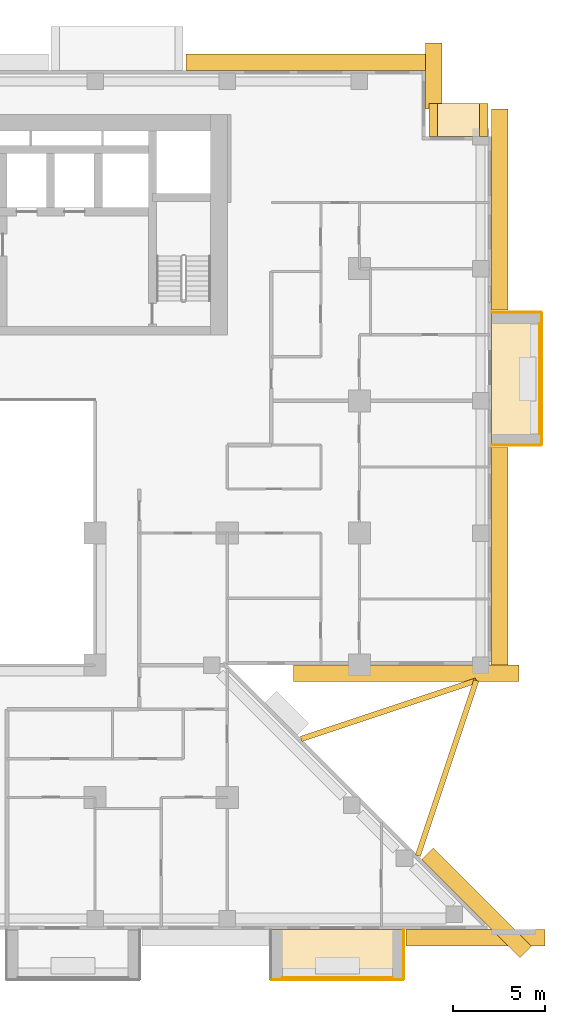
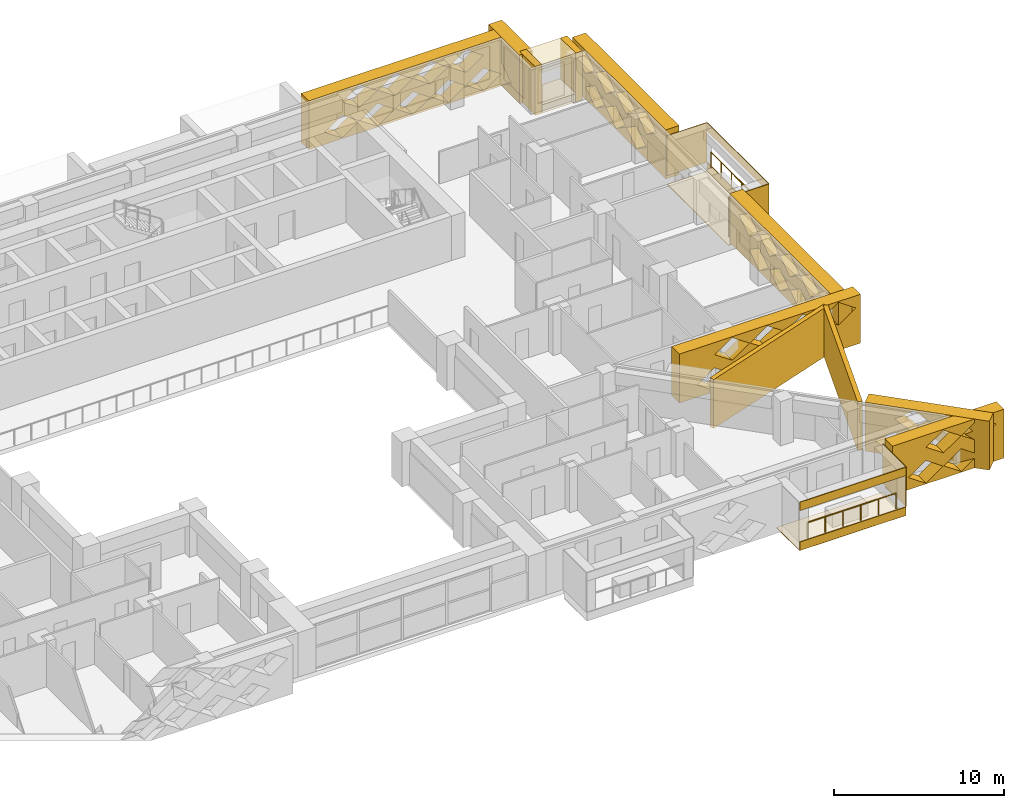
# One storey, part 17 of 17: 22 coverings, 2 railings.
"""IFC4 building model written with IfcOpenShell, lengths in metres."""

from ifc_helpers import new_model, si_unit, direction, frame, origin, origin_2d, place, context, subcontext, project, spatial, polyline, circle, outline, extrude, material, layer, layer_set, type_object, element, save


model = new_model("IFC4")

# Units and contexts
model_context = context("Model", 3, precision=1e-05, world=origin(), true_north=direction((0.0, 1.0)))
body_context = subcontext(model_context, "Body", "Model", "MODEL_VIEW")
ifc_project = project(units=[si_unit("LENGTHUNIT", "METRE"), si_unit("AREAUNIT", "SQUARE_METRE"), si_unit("VOLUMEUNIT", "CUBIC_METRE"), si_unit("PLANEANGLEUNIT", "RADIAN"), si_unit("MASSUNIT", "GRAM", prefix="KILO")], contexts=[model_context])

# Site, building, storey
site_placement = place(None, origin())
site = spatial("IfcSite", under=ifc_project, at=site_placement, CompositionType="ELEMENT")
building_placement = place(site_placement, origin())
building = spatial("IfcBuilding", under=site, at=building_placement, Name="Saffron Iwan Residences", CompositionType="ELEMENT")
storey_placement = place(building_placement, frame((0.0, 0.0, 100.5)))
storey = spatial("IfcBuildingStorey", under=building, at=storey_placement, Name="L26", CompositionType="ELEMENT", Elevation=100.5)

# Railings
ifc_material_1 = material(Name="Stainless steel 316", Category="steel")
railing_type = type_object("IfcRailingType", Name="BALCONY GUARD 1150", PredefinedType="GUARDRAIL", material=ifc_material_1)
railing_1_placement = place(storey_placement, frame((89.02490234375, 60.60009765625, 0.0)))
element("IfcRailing", 1, at=railing_1_placement, inside=storey, type_object=railing_type, Name="Balcony guard L26 F2-0", PredefinedType="GUARDRAIL", context=body_context, shape_type="SweptSolid", body=[
    extrude(circle(Radius=0.02392578125, at=origin_2d()), frame((0.0, 0.0, 1.1259765625), z_axis=(0.0, 1.0, 0.0), x_axis=(-1.0, 0.0, 0.0)), (0.0, 0.0, 1.0), 6.0),
    extrude(circle(Radius=0.02099609375, at=origin_2d()), origin(), (0.0, 0.0, 1.0), 1.101806640625),
    extrude(circle(Radius=0.02099609375, at=origin_2d()), frame((0.0, 1.199951171875, 0.0)), (0.0, 0.0, 1.0), 1.101806640625),
    extrude(circle(Radius=0.02099609375, at=origin_2d()), frame((0.0, 2.39990234375, 0.0)), (0.0, 0.0, 1.0), 1.101806640625),
    extrude(circle(Radius=0.02099609375, at=origin_2d()), frame((0.0, 3.60009765625, 0.0)), (0.0, 0.0, 1.0), 1.101806640625),
    extrude(circle(Radius=0.02099609375, at=origin_2d()), frame((0.0, 4.800048828125, 0.0)), (0.0, 0.0, 1.0), 1.101806640625),
    extrude(circle(Radius=0.02099609375, at=origin_2d()), frame((0.0, 6.0, 0.0)), (0.0, 0.0, 1.0), 1.101806640625),
])
railing_2_placement = place(storey_placement, frame((75.0, 30.97509765625, 0.0)))
element("IfcRailing", 2, at=railing_2_placement, inside=storey, type_object=railing_type, Name="Balcony guard L26 11-2", PredefinedType="GUARDRAIL", context=body_context, shape_type="SweptSolid", body=[
    extrude(circle(Radius=0.02392578125, at=origin_2d()), frame((0.0, 0.0, 1.1259765625), z_axis=(1.0, 0.0, 0.0), x_axis=(0.0, 1.0, 0.0)), (0.0, 0.0, 1.0), 6.0),
    extrude(circle(Radius=0.02099609375, at=origin_2d()), origin(), (0.0, 0.0, 1.0), 1.101806640625),
    extrude(circle(Radius=0.02099609375, at=origin_2d()), frame((1.199951171875, 0.0, 0.0)), (0.0, 0.0, 1.0), 1.101806640625),
    extrude(circle(Radius=0.02099609375, at=origin_2d()), frame((2.39990234375, 0.0, 0.0)), (0.0, 0.0, 1.0), 1.101806640625),
    extrude(circle(Radius=0.02099609375, at=origin_2d()), frame((3.60009765625, 0.0, 0.0)), (0.0, 0.0, 1.0), 1.101806640625),
    extrude(circle(Radius=0.02099609375, at=origin_2d()), frame((4.800048828125, 0.0, 0.0)), (0.0, 0.0, 1.0), 1.101806640625),
    extrude(circle(Radius=0.02099609375, at=origin_2d()), frame((6.0, 0.0, 0.0)), (0.0, 0.0, 1.0), 1.101806640625),
])

# Coverings
ifc_material_2 = material(Name="Precast concrete C40/50 white painted", Category="concrete")
ifc_layer_1 = layer(ifc_material_2, 0.050048828125)
ifc_layer_set_1 = layer_set([ifc_layer_1], Name="Precast concrete C40/50 white painted")
covering_type_1 = type_object("IfcCoveringType", Name="FRAME SKIN PRECAST WHITE 50", PredefinedType="CLADDING", material=ifc_layer_set_1)
for number, where, name in (
    (3, (0.0, 0.0, -0.60009765625), "Frame skin slab edge L26 F2-0"),
    (4, (0.0, 0.0, 2.25), "Frame skin fascia L26 F2-0"),
):
    element("IfcCovering", number, at=place(storey_placement, frame(where)), inside=storey, type_object=covering_type_1, Name=name, PredefinedType="CLADDING", context=body_context, shape_type="SweptSolid", body=[
        extrude(outline(polyline([(89.14990234375, 60.0), (89.14990234375, 67.199951171875), (89.10009765625, 67.199951171875), (89.10009765625, 60.0), (89.14990234375, 60.0)])), origin(), (0.0, 0.0, 1.0), 0.60009765625),
    ])
covering_1_placement = place(storey_placement, frame((0.0, 0.0, -0.64990234375)))
element("IfcCovering", 5, at=covering_1_placement, inside=storey, type_object=covering_type_1, Name="Frame skin soffit L26 F2-0", PredefinedType="CLADDING", context=body_context, shape_type="SweptSolid", body=[
    extrude(outline(polyline([(89.10009765625, 60.0), (89.10009765625, 67.199951171875), (86.39990234375, 67.199951171875), (86.39990234375, 60.0), (89.10009765625, 60.0)])), origin(), (0.0, 0.0, 1.0), 0.0498046875),
])
covering_2_placement = place(storey_placement, origin())
element("IfcCovering", 6, at=covering_2_placement, inside=storey, type_object=covering_type_1, Name="Frame skin fin L26 F2-0a", PredefinedType="CLADDING", context=body_context, shape_type="SweptSolid", body=[
    extrude(outline(polyline([(89.10009765625, 59.949951171875), (89.10009765625, 60.0), (86.39990234375, 60.0), (86.39990234375, 59.949951171875), (89.10009765625, 59.949951171875)])), origin(), (0.0, 0.0, 1.0), 2.85009765625),
])
covering_3_placement = place(storey_placement, origin())
element("IfcCovering", 7, at=covering_3_placement, inside=storey, type_object=covering_type_1, Name="Frame skin fin L26 F2-0b", PredefinedType="CLADDING", context=body_context, shape_type="SweptSolid", body=[
    extrude(outline(polyline([(89.10009765625, 67.199951171875), (89.10009765625, 67.25), (86.39990234375, 67.25), (86.39990234375, 67.199951171875), (89.10009765625, 67.199951171875)])), origin(), (0.0, 0.0, 1.0), 2.85009765625),
])
for number, where, name in (
    (8, (0.0, 0.0, -0.60009765625), "Frame skin slab edge L26 11-2"),
    (9, (0.0, 0.0, 2.25), "Frame skin fascia L26 11-2"),
):
    element("IfcCovering", number, at=place(storey_placement, frame(where)), inside=storey, type_object=covering_type_1, Name=name, PredefinedType="CLADDING", context=body_context, shape_type="SweptSolid", body=[
        extrude(outline(polyline([(74.39990234375, 30.85009765625), (81.60009765625, 30.85009765625), (81.60009765625, 30.89990234375), (74.39990234375, 30.89990234375), (74.39990234375, 30.85009765625)])), origin(), (0.0, 0.0, 1.0), 0.60009765625),
    ])
covering_4_placement = place(storey_placement, frame((0.0, 0.0, -0.64990234375)))
element("IfcCovering", 10, at=covering_4_placement, inside=storey, type_object=covering_type_1, Name="Frame skin soffit L26 11-2", PredefinedType="CLADDING", context=body_context, shape_type="SweptSolid", body=[
    extrude(outline(polyline([(74.39990234375, 30.89990234375), (81.60009765625, 30.89990234375), (81.60009765625, 33.60009765625), (74.39990234375, 33.60009765625), (74.39990234375, 30.89990234375)])), origin(), (0.0, 0.0, 1.0), 0.0498046875),
])
covering_5_placement = place(storey_placement, origin())
element("IfcCovering", 11, at=covering_5_placement, inside=storey, type_object=covering_type_1, Name="Frame skin fin L26 11-2b", PredefinedType="CLADDING", context=body_context, shape_type="SweptSolid", body=[
    extrude(outline(polyline([(81.60009765625, 30.89990234375), (81.64990234375, 30.89990234375), (81.64990234375, 33.60009765625), (81.60009765625, 33.60009765625), (81.60009765625, 30.89990234375)])), origin(), (0.0, 0.0, 1.0), 2.85009765625),
])
ifc_material_3 = material(Name="Precast concrete C40/50", Category="concrete")
covering_type_2 = type_object("IfcCoveringType", Name="OUTER SKIN LATTICE SCREEN", PredefinedType="CLADDING", material=ifc_material_3)
covering_6_placement = place(storey_placement, frame((87.939453125, 32.060546875, -0.320068359375), z_axis=(0.706971125213, 0.70724241114, 0.0), x_axis=(-0.70724241114, 0.706971125213, 0.0)))
element("IfcCovering", 12, at=covering_6_placement, inside=storey, type_object=covering_type_2, Name="OUTER SKIN lattice screen L26 F0.0", PredefinedType="CLADDING", context=body_context, shape_type="SweptSolid", body=[
    extrude(outline(polyline([(0.0, 0.0), (7.559326171875, 0.0), (7.559326171875, 3.5), (0.0, 3.5), (0.0, 0.0)]), holes=[polyline([(2.197021484375, 0.875), (3.377197265625, 0.06005859375), (4.55712890625, 0.875), (3.377197265625, 1.68994140625), (2.197021484375, 0.875)]), polyline([(4.59716796875, 0.875), (5.777099609375, 0.06005859375), (6.95703125, 0.875), (5.777099609375, 1.68994140625), (4.59716796875, 0.875)]), polyline([(0.9970703125, 2.625), (2.177001953125, 1.81005859375), (3.357177734375, 2.625), (2.177001953125, 3.43994140625), (0.9970703125, 2.625)]), polyline([(3.397216796875, 2.625), (4.5771484375, 1.81005859375), (5.757080078125, 2.625), (4.5771484375, 3.43994140625), (3.397216796875, 2.625)])]), origin(), (0.0, 0.0, 1.0), 0.89990234375),
])
covering_7_placement = place(storey_placement, frame((75.6171875, 48.0, -0.320068359375), z_axis=(0.0, -1.0, 0.0), x_axis=(1.0, 0.0, 0.0)))
element("IfcCovering", 13, at=covering_7_placement, inside=storey, type_object=covering_type_2, Name="OUTER SKIN lattice screen L26 F1.0", PredefinedType="CLADDING", context=body_context, shape_type="SweptSolid", body=[
    extrude(outline(polyline([(0.0, 0.0), (12.282958984375, 0.0), (12.282958984375, 3.5), (0.0, 3.5), (0.0, 0.0)]), holes=[polyline([(1.202880859375, 0.875), (2.3828125, 0.06005859375), (3.56298828125, 0.875), (2.3828125, 1.68994140625), (1.202880859375, 0.875)]), polyline([(3.602783203125, 0.875), (4.782958984375, 0.06005859375), (5.962890625, 0.875), (4.782958984375, 1.68994140625), (3.602783203125, 0.875)]), polyline([(6.0029296875, 0.875), (7.182861328125, 0.06005859375), (8.36279296875, 0.875), (7.182861328125, 1.68994140625), (6.0029296875, 0.875)]), polyline([(8.40283203125, 0.875), (9.5830078125, 0.06005859375), (10.762939453125, 0.875), (9.5830078125, 1.68994140625), (8.40283203125, 0.875)]), polyline([(2.40283203125, 2.625), (3.5830078125, 1.81005859375), (4.762939453125, 2.625), (3.5830078125, 3.43994140625), (2.40283203125, 2.625)]), polyline([(4.802978515625, 2.625), (5.98291015625, 1.81005859375), (7.162841796875, 2.625), (5.98291015625, 3.43994140625), (4.802978515625, 2.625)]), polyline([(7.202880859375, 2.625), (8.3828125, 1.81005859375), (9.56298828125, 2.625), (8.3828125, 3.43994140625), (7.202880859375, 2.625)]), polyline([(9.602783203125, 2.625), (10.782958984375, 1.81005859375), (11.962890625, 2.625), (10.782958984375, 3.43994140625), (9.602783203125, 2.625)])]), origin(), (0.0, 0.0, 1.0), 0.89990234375),
])
covering_8_placement = place(storey_placement, frame((86.39990234375, 47.10009765625, -0.320068359375), z_axis=(1.0, 0.0, 0.0), x_axis=(0.0, 1.0, 0.0)))
element("IfcCovering", 14, at=covering_8_placement, inside=storey, type_object=covering_type_2, Name="OUTER SKIN lattice screen L26 F2.0", PredefinedType="CLADDING", context=body_context, shape_type="SweptSolid", body=[
    extrude(outline(polyline([(0.0, 0.0), (12.75, 0.0), (12.75, 3.5), (0.0, 3.5), (0.0, 0.0)]), holes=[polyline([(0.919921875, 0.875), (2.10009765625, 0.06005859375), (3.280029296875, 0.875), (2.10009765625, 1.68994140625), (0.919921875, 0.875)]), polyline([(3.320068359375, 0.875), (4.5, 0.06005859375), (5.679931640625, 0.875), (4.5, 1.68994140625), (3.320068359375, 0.875)]), polyline([(5.719970703125, 0.875), (6.89990234375, 0.06005859375), (8.080078125, 0.875), (6.89990234375, 1.68994140625), (5.719970703125, 0.875)]), polyline([(8.1201171875, 0.875), (9.300048828125, 0.06005859375), (10.47998046875, 0.875), (9.300048828125, 1.68994140625), (8.1201171875, 0.875)]), polyline([(2.1201171875, 2.625), (3.300048828125, 1.81005859375), (4.47998046875, 2.625), (3.300048828125, 3.43994140625), (2.1201171875, 2.625)]), polyline([(4.52001953125, 2.625), (5.699951171875, 1.81005859375), (6.8798828125, 2.625), (5.699951171875, 3.43994140625), (4.52001953125, 2.625)]), polyline([(6.919921875, 2.625), (8.10009765625, 1.81005859375), (9.280029296875, 2.625), (8.10009765625, 3.43994140625), (6.919921875, 2.625)]), polyline([(9.320068359375, 2.625), (10.5, 1.81005859375), (11.679931640625, 2.625), (10.5, 3.43994140625), (9.320068359375, 2.625)])]), origin(), (0.0, 0.0, 1.0), 0.900146484375),
])
covering_9_placement = place(storey_placement, frame((86.39990234375, 67.35009765625, -0.320068359375), z_axis=(1.0, 0.0, 0.0), x_axis=(0.0, 1.0, 0.0)))
element("IfcCovering", 15, at=covering_9_placement, inside=storey, type_object=covering_type_2, Name="OUTER SKIN lattice screen L26 F2.1", PredefinedType="CLADDING", context=body_context, shape_type="SweptSolid", body=[
    extrude(outline(polyline([(0.0, 0.0), (10.949951171875, 0.0), (10.949951171875, 3.5), (0.0, 3.5), (0.0, 0.0)]), holes=[polyline([(2.27001953125, 0.875), (3.449951171875, 0.06005859375), (4.6298828125, 0.875), (3.449951171875, 1.68994140625), (2.27001953125, 0.875)]), polyline([(4.669921875, 0.875), (5.85009765625, 0.06005859375), (7.030029296875, 0.875), (5.85009765625, 1.68994140625), (4.669921875, 0.875)]), polyline([(7.070068359375, 0.875), (8.25, 0.06005859375), (9.429931640625, 0.875), (8.25, 1.68994140625), (7.070068359375, 0.875)]), polyline([(1.070068359375, 2.625), (2.25, 1.81005859375), (3.429931640625, 2.625), (2.25, 3.43994140625), (1.070068359375, 2.625)]), polyline([(3.469970703125, 2.625), (4.64990234375, 1.81005859375), (5.830078125, 2.625), (4.64990234375, 3.43994140625), (3.469970703125, 2.625)]), polyline([(5.8701171875, 2.625), (7.050048828125, 1.81005859375), (8.22998046875, 2.625), (7.050048828125, 3.43994140625), (5.8701171875, 2.625)]), polyline([(8.27001953125, 2.625), (9.449951171875, 1.81005859375), (10.6298828125, 2.625), (9.449951171875, 3.43994140625), (8.27001953125, 2.625)])]), origin(), (0.0, 0.0, 1.0), 0.900146484375),
])
covering_10_placement = place(storey_placement, frame((82.800048828125, 78.300048828125, -0.320068359375), z_axis=(1.0, 0.0, 0.0), x_axis=(0.0, 1.0, 0.0)))
element("IfcCovering", 16, at=covering_10_placement, inside=storey, type_object=covering_type_2, Name="OUTER SKIN lattice screen L26 F4.0", PredefinedType="CLADDING", context=body_context, shape_type="SweptSolid", body=[
    extrude(outline(polyline([(0.0, 0.0), (3.60009765625, 0.0), (3.60009765625, 3.5), (0.0, 3.5), (0.0, 0.0)]), holes=[polyline([(0.919921875, 0.875), (2.10009765625, 0.06005859375), (3.280029296875, 0.875), (2.10009765625, 1.68994140625), (0.919921875, 0.875)])]), origin(), (0.0, 0.0, 1.0), 0.89990234375),
])
covering_11_placement = place(storey_placement, frame((83.699951171875, 80.39990234375, -0.320068359375), z_axis=(0.0, 1.0, 0.0), x_axis=(-1.0, 0.0, 0.0)))
element("IfcCovering", 17, at=covering_11_placement, inside=storey, type_object=covering_type_2, Name="OUTER SKIN lattice screen L26 F5.0", PredefinedType="CLADDING", context=body_context, shape_type="SweptSolid", body=[
    extrude(outline(polyline([(0.0, 0.0), (13.949951171875, 0.0), (13.949951171875, 3.5), (0.0, 3.5), (0.0, 0.0)]), holes=[polyline([(0.919921875, 0.875), (2.10009765625, 0.06005859375), (3.280029296875, 0.875), (2.10009765625, 1.68994140625), (0.919921875, 0.875)]), polyline([(3.320068359375, 0.875), (4.5, 0.06005859375), (5.679931640625, 0.875), (4.5, 1.68994140625), (3.320068359375, 0.875)]), polyline([(5.719970703125, 0.875), (6.89990234375, 0.06005859375), (8.080078125, 0.875), (6.89990234375, 1.68994140625), (5.719970703125, 0.875)]), polyline([(8.1201171875, 0.875), (9.300048828125, 0.06005859375), (10.47998046875, 0.875), (9.300048828125, 1.68994140625), (8.1201171875, 0.875)]), polyline([(10.52001953125, 0.875), (11.699951171875, 0.06005859375), (12.8798828125, 0.875), (11.699951171875, 1.68994140625), (10.52001953125, 0.875)]), polyline([(2.1201171875, 2.625), (3.300048828125, 1.81005859375), (4.47998046875, 2.625), (3.300048828125, 3.43994140625), (2.1201171875, 2.625)]), polyline([(4.52001953125, 2.625), (5.699951171875, 1.81005859375), (6.8798828125, 2.625), (5.699951171875, 3.43994140625), (4.52001953125, 2.625)]), polyline([(6.919921875, 2.625), (8.10009765625, 1.81005859375), (9.280029296875, 2.625), (8.10009765625, 3.43994140625), (6.919921875, 2.625)]), polyline([(9.320068359375, 2.625), (10.5, 1.81005859375), (11.679931640625, 2.625), (10.5, 3.43994140625), (9.320068359375, 2.625)])]), origin(), (0.0, 0.0, 1.0), 0.900146484375),
])
covering_12_placement = place(storey_placement, frame((81.75, 33.60009765625, -0.320068359375), z_axis=(0.0, -1.0, 0.0), x_axis=(1.0, 0.0, 0.0)))
element("IfcCovering", 18, at=covering_12_placement, inside=storey, type_object=covering_type_2, Name="OUTER SKIN lattice screen L26 F11.3", PredefinedType="CLADDING", context=body_context, shape_type="SweptSolid", body=[
    extrude(outline(polyline([(0.0, 0.0), (7.547119140625, 0.0), (7.547119140625, 3.5), (0.0, 3.5), (0.0, 0.0)]), holes=[polyline([(1.070068359375, 0.875), (2.25, 0.06005859375), (3.429931640625, 0.875), (2.25, 1.68994140625), (1.070068359375, 0.875)]), polyline([(3.469970703125, 0.875), (4.64990234375, 0.06005859375), (5.830078125, 0.875), (4.64990234375, 1.68994140625), (3.469970703125, 0.875)]), polyline([(2.27001953125, 2.625), (3.449951171875, 1.81005859375), (4.6298828125, 2.625), (3.449951171875, 3.43994140625), (2.27001953125, 2.625)]), polyline([(4.669921875, 2.625), (5.85009765625, 1.81005859375), (7.030029296875, 2.625), (5.85009765625, 3.43994140625), (4.669921875, 2.625)])]), origin(), (0.0, 0.0, 1.0), 0.900146484375),
])
ifc_layer_2 = layer(ifc_material_2, 0.300048828125)
ifc_layer_set_2 = layer_set([ifc_layer_2], Name="Precast concrete C40/50 white painted")
covering_type_3 = type_object("IfcCoveringType", Name="PROW NOSE BLADE PRECAST WHITE", PredefinedType="CLADDING", material=ifc_layer_set_2)
covering_13_placement = place(storey_placement, frame((0.0, 0.0, -0.320068359375)))
element("IfcCovering", 19, at=covering_13_placement, inside=storey, type_object=covering_type_3, Name="Prow nose blade L26 a", PredefinedType="CLADDING", context=body_context, shape_type="SweptSolid", body=[
    extrude(outline(polyline([(82.5244140625, 37.570556640625), (85.706298828125, 47.116455078125), (85.421630859375, 47.21142578125), (82.23974609375, 37.66552734375), (82.5244140625, 37.570556640625)])), origin(), (0.0, 0.0, 1.0), 3.5),
])
covering_14_placement = place(storey_placement, frame((0.0, 0.0, -0.320068359375)))
element("IfcCovering", 20, at=covering_14_placement, inside=storey, type_object=covering_type_3, Name="Prow nose blade L26 b", PredefinedType="CLADDING", context=body_context, shape_type="SweptSolid", body=[
    extrude(outline(polyline([(76.0654296875, 43.839599609375), (85.611328125, 47.021728515625), (85.5166015625, 47.306396484375), (75.970703125, 44.124267578125), (76.0654296875, 43.839599609375)])), origin(), (0.0, 0.0, 1.0), 3.5),
])
covering_type_4 = type_object("IfcCoveringType", Name="WHITE SUN FRAME PRECAST", PredefinedType="CLADDING", material=ifc_material_2)
for number, where, z_axis, x_axis, name in (
    (21, (86.199951171875, 76.800048828125, -0.320068359375), (0.0, 1.0, 0.0), (-1.0, 0.0, 0.0), "Sun frame L26 F3 0.2a"),
    (22, (83.449951171875, 76.800048828125, -0.320068359375), (0.0, 1.0, 0.0), (-1.0, 0.0, 0.0), "Sun frame L26 F3 0.2b"),
):
    element("IfcCovering", number, at=place(storey_placement, frame(where, z_axis=z_axis, x_axis=x_axis)), inside=storey, type_object=covering_type_4, Name=name, PredefinedType="CLADDING", context=body_context, shape_type="SweptSolid", body=[
        extrude(outline(polyline([(0.0, 0.0), (0.449951171875, 0.0), (0.449951171875, 3.5), (0.0, 3.5), (0.0, 0.0)])), origin(), (0.0, 0.0, 1.0), 1.800048828125),
    ])
for number, where, z_axis, x_axis, name in (
    (23, (85.75, 76.800048828125, 2.580078125), (0.0, 1.0, 0.0), (-1.0, 0.0, 0.0), "Sun frame L26 F3 0.2h"),
    (24, (85.75, 76.800048828125, -0.320068359375), (0.0, 1.0, 0.0), (-1.0, 0.0, 0.0), "Sun frame L26 F3 0.2s"),
):
    element("IfcCovering", number, at=place(storey_placement, frame(where, z_axis=z_axis, x_axis=x_axis)), inside=storey, type_object=covering_type_4, Name=name, PredefinedType="CLADDING", context=body_context, shape_type="SweptSolid", body=[
        extrude(outline(polyline([(0.0, 0.0), (2.300048828125, 0.0), (2.300048828125, 0.60009765625), (0.0, 0.60009765625), (0.0, 0.0)])), origin(), (0.0, 0.0, 1.0), 1.800048828125),
    ])

save(model, "model.ifc")
